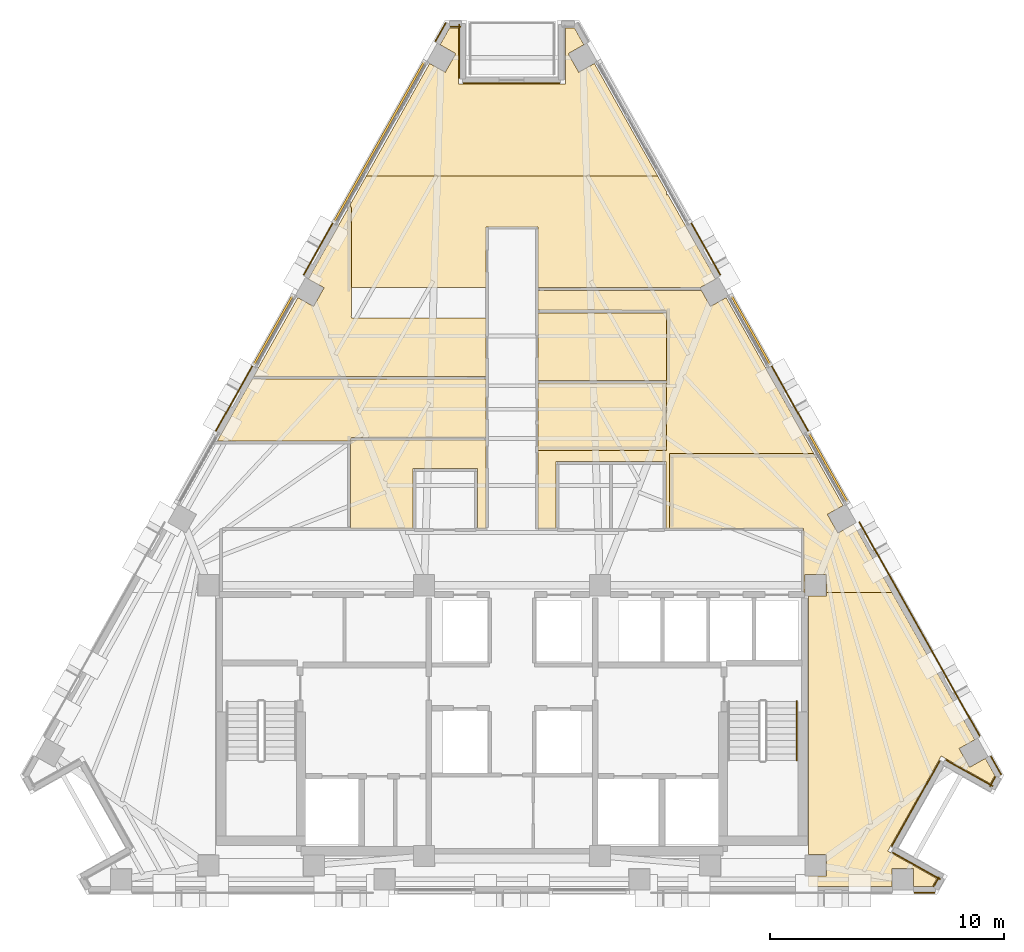
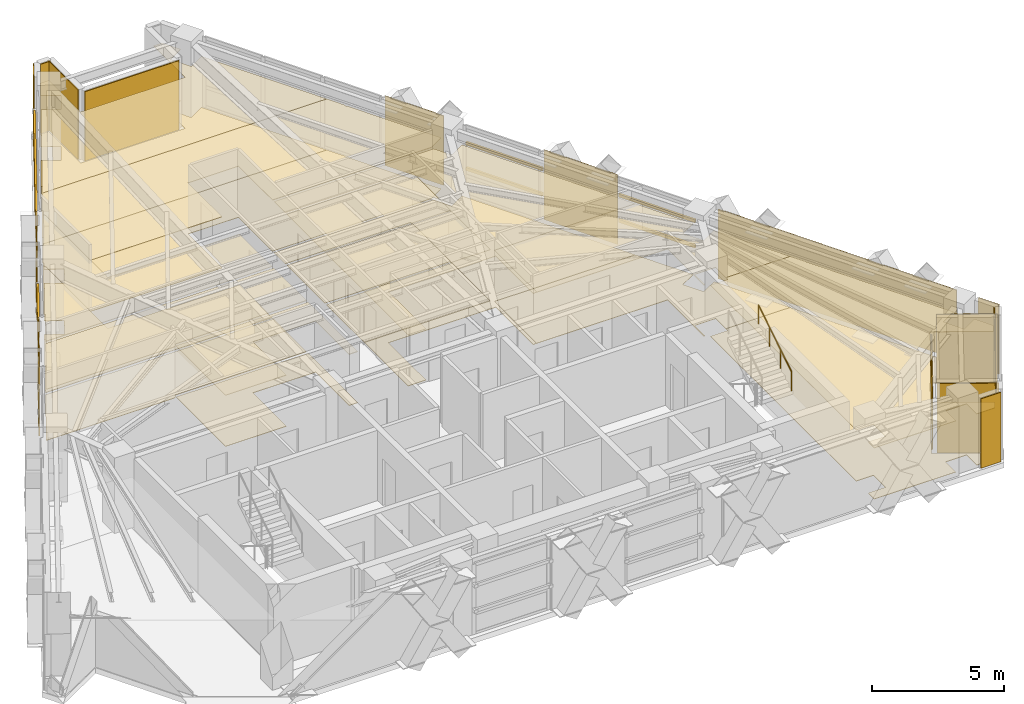
# One storey, part 14 of 15: 36 coverings, 8 shading devices, 1 railing.
"""IFC4 building model written with IfcOpenShell, lengths in metres."""

from ifc_helpers import new_model, si_unit, direction, frame, origin, origin_2d, place, context, subcontext, project, spatial, polyline, rectangle, circle, outline, extrude, material, layer, layer_set, material_profile, profile_set, type_object, element, save


model = new_model("IFC4")

# Units and contexts
model_context = context("Model", 3, precision=1e-05, world=origin(), true_north=direction((0.0, 1.0)))
body_context = subcontext(model_context, "Body", "Model", "MODEL_VIEW")
ifc_project = project(units=[si_unit("LENGTHUNIT", "METRE"), si_unit("AREAUNIT", "SQUARE_METRE"), si_unit("VOLUMEUNIT", "CUBIC_METRE"), si_unit("PLANEANGLEUNIT", "RADIAN"), si_unit("MASSUNIT", "GRAM", prefix="KILO")], contexts=[model_context])

# Site, building, storey
site_placement = place(None, origin())
site = spatial("IfcSite", under=ifc_project, at=site_placement, CompositionType="ELEMENT")
building_placement = place(site_placement, origin())
building = spatial("IfcBuilding", under=site, at=building_placement, Name="Quenlor Broadcast Tower", CompositionType="ELEMENT")
storey_placement = place(building_placement, frame((0.0, 0.0, 183.39990234375)))
storey = spatial("IfcBuildingStorey", under=building, at=storey_placement, Name="L50", CompositionType="ELEMENT", Elevation=183.39990234375)

# Coverings
ifc_material_1 = material(Name="Acoustic Mineral Fibre Board", Category="other")
ifc_layer_1 = layer(ifc_material_1, 0.02490234375)
ifc_layer_set_1 = layer_set([ifc_layer_1], Name="Acoustic Perforated Mineral Tile Ceiling 25")
covering_type_1 = type_object("IfcCoveringType", Name="Acoustic Perforated Mineral Tile Ceiling 25", PredefinedType="CEILING", material=ifc_layer_set_1)
covering_1_placement = place(storey_placement, frame((0.0, 0.0, 2.359130859375)))
element("IfcCovering", 1, at=covering_1_placement, inside=storey, type_object=covering_type_1, Name="L50 Acoustic Ceiling L50-29", PredefinedType="CEILING", context=body_context, shape_type="SweptSolid", body=[
    extrude(outline(polyline([(-6.8798828125, 7.900390625), (-6.8798828125, 11.475341796875), (-6.21923828125, 12.64990234375), (6.21923828125, 12.64990234375), (6.60009765625, 11.97314453125), (6.60009765625, 11.849609375), (6.61328125, 11.865234375), (6.6357421875, 11.8837890625), (8.685302734375, 8.26611328125), (8.03515625, 7.900390625), (1.10009765625, 7.900390625), (1.10009765625, 10.47998046875), (-1.10009765625, 10.47998046875), (-1.10009765625, 7.900390625), (-6.8798828125, 7.900390625)])), origin(), (0.0, 0.0, 1.0), 0.02490234375),
])
covering_2_placement = place(storey_placement, frame((0.0, 0.0, 2.359130859375)))
element("IfcCovering", 2, at=covering_2_placement, inside=storey, type_object=covering_type_1, Name="L50 Acoustic Ceiling L50-29-2", PredefinedType="CEILING", context=body_context, shape_type="SweptSolid", body=[
    extrude(outline(polyline([(-3.515380859375, 17.45703125), (-2.845947265625, 17.08056640625), (-2.396728515625, 17.87890625), (-3.066162109375, 18.255615234375), (-2.6630859375, 18.971923828125), (-2.2861328125, 18.971923828125), (-2.2861328125, 16.572021484375), (2.2861328125, 16.572021484375), (2.2861328125, 18.971923828125), (2.6630859375, 18.971923828125), (3.066162109375, 18.255615234375), (2.396728515625, 17.87890625), (2.845947265625, 17.08056640625), (3.515380859375, 17.45703125), (6.21923828125, 12.64990234375), (-6.21923828125, 12.64990234375), (-3.515380859375, 17.45703125)])), origin(), (0.0, 0.0, 1.0), 0.02490234375),
])
covering_3_placement = place(storey_placement, frame((0.0, 0.0, 2.359130859375)))
element("IfcCovering", 3, at=covering_3_placement, inside=storey, type_object=covering_type_1, Name="L50 Acoustic Ceiling L50-30", PredefinedType="CEILING", context=body_context, shape_type="SweptSolid", body=[
    extrude(outline(polyline([(-1.10009765625, 4.110107421875), (-11.02294921875, 4.110107421875), (-9.87939453125, 6.143310546875), (-9.634033203125, 6.579345703125), (-9.13427734375, 7.4677734375), (-8.465087890625, 7.09130859375), (-8.015869140625, 7.889404296875), (-8.685302734375, 8.26611328125), (-6.926513671875, 11.392578125), (-6.904052734375, 11.377197265625), (-6.883544921875, 11.356689453125), (-6.867431640625, 11.332275390625), (-6.8564453125, 11.30517578125), (-6.8505859375, 11.276611328125), (-6.85009765625, 6.7099609375), (-6.852783203125, 6.6806640625), (-6.861328125, 6.652587890625), (-6.8564453125, 6.633544921875), (-6.8505859375, 6.604736328125), (-1.10009765625, 6.590087890625), (-1.10009765625, 4.110107421875)])), origin(), (0.0, 0.0, 1.0), 0.02490234375),
])
covering_4_placement = place(storey_placement, frame((0.0, 0.0, 2.359130859375)))
element("IfcCovering", 4, at=covering_4_placement, inside=storey, type_object=covering_type_1, Name="L50 Acoustic Ceiling L50-31", PredefinedType="CEILING", context=body_context, shape_type="SweptSolid", body=[
    extrude(outline(polyline([(1.10009765625, 6.820068359375), (6.60009765625, 6.820068359375), (6.60009765625, 3.93994140625), (1.10009765625, 3.93994140625), (1.10009765625, 6.820068359375)])), origin(), (0.0, 0.0, 1.0), 0.02490234375),
])
covering_5_placement = place(storey_placement, frame((0.0, 0.0, 2.359130859375)))
element("IfcCovering", 5, at=covering_5_placement, inside=storey, type_object=covering_type_1, Name="L50 Acoustic Ceiling L50-32", PredefinedType="CEILING", context=body_context, shape_type="SweptSolid", body=[
    extrude(outline(polyline([(6.58251953125, 6.8798828125), (6.576416015625, 6.896484375), (6.57080078125, 6.92529296875), (1.10009765625, 6.93994140625), (1.10009765625, 7.780517578125), (8.077392578125, 7.780517578125), (8.465087890625, 7.09130859375), (9.13427734375, 7.4677734375), (9.251708984375, 7.2587890625), (9.414306640625, 6.969970703125), (10.361328125, 5.286376953125), (12.879638671875, 0.809326171875), (12.864013671875, 0.8017578125), (12.835693359375, 0.79296875), (12.80615234375, 0.7900390625), (6.75, 0.7900390625), (6.75, -2.3701171875), (6.570068359375, -2.3701171875), (6.570068359375, 0.469970703125), (1.8798828125, 0.469970703125), (1.8798828125, -2.3701171875), (1.10009765625, -2.3701171875), (1.10009765625, 0.969970703125), (6.570068359375, 0.969970703125), (6.57080078125, 6.834716796875), (6.576416015625, 6.863525390625), (6.58251953125, 6.8798828125)])), origin(), (0.0, 0.0, 1.0), 0.02490234375),
])
covering_6_placement = place(storey_placement, frame((0.0, 0.0, 2.359130859375)))
element("IfcCovering", 6, at=covering_6_placement, inside=storey, type_object=covering_type_1, Name="L50 Acoustic Ceiling L50-33", PredefinedType="CEILING", context=body_context, shape_type="SweptSolid", body=[
    extrude(outline(polyline([(-6.861328125, 1.45263671875), (-6.875244140625, 1.4267578125), (-6.893798828125, 1.40380859375), (-6.916748046875, 1.38525390625), (-6.942626953125, 1.371337890625), (-6.970703125, 1.36279296875), (-7.0, 1.360107421875), (-12.485595703125, 1.360107421875), (-12.51513671875, 1.36279296875), (-12.54345703125, 1.37158203125), (-12.55908203125, 1.37939453125), (-11.090576171875, 3.989990234375), (-1.10009765625, 3.989990234375), (-1.10009765625, 1.510009765625), (-6.85009765625, 1.510009765625), (-6.852783203125, 1.480712890625), (-6.861328125, 1.45263671875)])), origin(), (0.0, 0.0, 1.0), 0.02490234375),
])
covering_7_placement = place(storey_placement, frame((0.0, 0.0, 2.359130859375)))
element("IfcCovering", 7, at=covering_7_placement, inside=storey, type_object=covering_type_1, Name="L50 Acoustic Ceiling L50-34", PredefinedType="CEILING", context=body_context, shape_type="SweptSolid", body=[
    extrude(outline(polyline([(6.60009765625, 3.820068359375), (6.60009765625, 0.93994140625), (1.10009765625, 0.93994140625), (1.10009765625, 3.820068359375), (6.60009765625, 3.820068359375)])), origin(), (0.0, 0.0, 1.0), 0.02490234375),
])
covering_8_placement = place(storey_placement, frame((0.0, 0.0, 2.359130859375)))
element("IfcCovering", 8, at=covering_8_placement, inside=storey, type_object=covering_type_1, Name="L50 Acoustic Ceiling L50-35", PredefinedType="CEILING", context=body_context, shape_type="SweptSolid", body=[
    extrude(outline(polyline([(-4.219970703125, 0.169921875), (-4.219970703125, -2.3701171875), (-6.8798828125, -2.3701171875), (-6.8798828125, 1.389892578125), (-1.10009765625, 1.389892578125), (-1.10009765625, -2.3701171875), (-1.47998046875, -2.3701171875), (-1.47998046875, 0.169921875), (-4.219970703125, 0.169921875)])), origin(), (0.0, 0.0, 1.0), 0.02490234375),
])
covering_9_placement = place(storey_placement, frame((0.0, 0.0, 2.359130859375)))
element("IfcCovering", 9, at=covering_9_placement, inside=storey, type_object=covering_type_1, Name="L50 Acoustic Ceiling L50-36-2", PredefinedType="CEILING", context=body_context, shape_type="SweptSolid", body=[
    extrude(outline(polyline([(13.407958984375, -4.342041015625), (12.491943359375, -4.342041015625), (12.491943359375, -5.1201171875), (12.43994140625, -5.1201171875), (12.43994140625, -2.3701171875), (6.719970703125, -2.3701171875), (6.719970703125, 0.820068359375), (12.873779296875, 0.820068359375), (14.123046875, -1.401123046875), (13.45361328125, -1.777587890625), (13.90283203125, -2.575927734375), (14.572021484375, -2.199462890625), (16.21484375, -5.1201171875), (13.407958984375, -5.1201171875), (13.407958984375, -4.342041015625)])), origin(), (0.0, 0.0, 1.0), 0.02490234375),
])
covering_10_placement = place(storey_placement, frame((0.0, 0.0, 2.359130859375)))
element("IfcCovering", 10, at=covering_10_placement, inside=storey, type_object=covering_type_1, Name="L50 Acoustic Ceiling L50-36-4", PredefinedType="CEILING", context=body_context, shape_type="SweptSolid", body=[
    extrude(outline(polyline([(13.407958984375, -17.2080078125), (13.407958984375, -16.2919921875), (12.64990234375, -16.2919921875), (12.64990234375, -5.258056640625), (13.407958984375, -5.258056640625), (13.407958984375, -5.1201171875), (16.21484375, -5.1201171875), (19.7421875, -11.390625), (19.07275390625, -11.76708984375), (19.52197265625, -12.5654296875), (20.191162109375, -12.18896484375), (20.597900390625, -12.912109375), (20.400390625, -13.26318359375), (18.30859375, -12.08642578125), (16.029052734375, -16.138916015625), (18.120849609375, -17.315673828125), (17.927001953125, -17.659912109375), (17.1337890625, -17.659912109375), (17.1337890625, -16.89208984375), (16.218017578125, -16.89208984375), (16.218017578125, -17.659912109375), (12.64990234375, -17.659912109375), (12.64990234375, -17.2080078125), (13.407958984375, -17.2080078125)])), origin(), (0.0, 0.0, 1.0), 0.02490234375),
])

# Shading devices
ifc_material_2 = material(Name="Architectural Terracotta Ceramic", Category="masonry")
ifc_material_profile = material_profile(ifc_material_2, rectangle(XDim=0.090087890625, YDim=0.139892578125, at=origin_2d()))
ifc_profile_set = profile_set([ifc_material_profile], Name="Architectural Terracotta Ceramic BAG90x140")
shading_device_type = type_object("IfcShadingDeviceType", Name="Copper Terracotta Baguette Solar Screen 140", PredefinedType="USERDEFINED", material=ifc_profile_set)
for number, where, z_axis, x_axis, name in (
    (11, (9.3642578125, 7.54443359375, 1.170166015625), (0.490250903893, -0.871581350897, 0.0), (0.871581350897, 0.490250903893, 0.0), "L50 Terracotta Baguette Screen 1"),
    (12, (9.3642578125, 7.54443359375, 2.340087890625), (0.490250903893, -0.871581350897, 0.0), (0.871581350897, 0.490250903893, 0.0), "L50 Terracotta Baguette Screen 2"),
):
    element("IfcShadingDevice", number, at=place(storey_placement, frame(where, z_axis=z_axis, x_axis=x_axis)), inside=storey, type_object=shading_device_type, Name=name, ObjectType="BAGUETTE", PredefinedType="USERDEFINED", context=body_context, shape_type="SweptSolid", body=[
        extrude(rectangle(XDim=0.090087890625, YDim=0.139892578125, at=origin_2d()), origin(), (0.0, 0.0, 1.0), 3.364501953125),
    ])
for number, where, z_axis, x_axis, name in (
    (13, (12.65869140625, 1.68798828125, 1.170166015625), (0.490195776457, -0.871612356925, 0.0), (0.871612356925, 0.490195776457, 0.0), "L50 Terracotta Baguette Screen 1"),
    (14, (12.65869140625, 1.68798828125, 2.340087890625), (0.490195776457, -0.871612356925, 0.0), (0.871612356925, 0.490195776457, 0.0), "L50 Terracotta Baguette Screen 2"),
):
    element("IfcShadingDevice", number, at=place(storey_placement, frame(where, z_axis=z_axis, x_axis=x_axis)), inside=storey, type_object=shading_device_type, Name=name, ObjectType="BAGUETTE", PredefinedType="USERDEFINED", context=body_context, shape_type="SweptSolid", body=[
        extrude(rectangle(XDim=0.090087890625, YDim=0.139892578125, at=origin_2d()), origin(), (0.0, 0.0, 1.0), 3.3642578125),
    ])
for number, where, z_axis, x_axis, name in (
    (15, (-7.58447265625, 10.708251953125, 1.170166015625), (0.49024494728, 0.871584701372, 0.0), (-0.871584701372, 0.49024494728, 0.0), "L50 Terracotta Baguette Screen 1"),
    (16, (-7.58447265625, 10.708251953125, 2.340087890625), (0.49024494728, 0.871584701372, 0.0), (-0.871584701372, 0.49024494728, 0.0), "L50 Terracotta Baguette Screen 2"),
):
    element("IfcShadingDevice", number, at=place(storey_placement, frame(where, z_axis=z_axis, x_axis=x_axis)), inside=storey, type_object=shading_device_type, Name=name, ObjectType="BAGUETTE", PredefinedType="USERDEFINED", context=body_context, shape_type="SweptSolid", body=[
        extrude(rectangle(XDim=0.090087890625, YDim=0.139892578125, at=origin_2d()), origin(), (0.0, 0.0, 1.0), 7.825927734375),
    ])
for number, where, z_axis, x_axis, name in (
    (17, (-11.013671875, 4.612060546875, 1.170166015625), (0.490250903893, 0.871581350897, 0.0), (-0.871581350897, 0.490250903893, 0.0), "L50 Terracotta Baguette Screen 1"),
    (18, (-11.013671875, 4.612060546875, 2.340087890625), (0.490250903893, 0.871581350897, 0.0), (-0.871581350897, 0.490250903893, 0.0), "L50 Terracotta Baguette Screen 2"),
):
    element("IfcShadingDevice", number, at=place(storey_placement, frame(where, z_axis=z_axis, x_axis=x_axis)), inside=storey, type_object=shading_device_type, Name=name, ObjectType="BAGUETTE", PredefinedType="USERDEFINED", context=body_context, shape_type="SweptSolid", body=[
        extrude(rectangle(XDim=0.090087890625, YDim=0.139892578125, at=origin_2d()), origin(), (0.0, 0.0, 1.0), 3.364501953125),
    ])

# Coverings
ifc_material_3 = material(Name="Architectural Terracotta Ceramic", Category="masonry")
ifc_layer_2 = layer(ifc_material_3, 0.044921875)
ifc_layer_set_2 = layer_set([ifc_layer_2], Name="Fluted Terracotta Rainscreen Cladding Panel")
covering_type_2 = type_object("IfcCoveringType", Name="Fluted Terracotta Rainscreen Cladding Panel", PredefinedType="CLADDING", material=ifc_layer_set_2)
covering_11_placement = place(storey_placement, frame((0.0, 0.0, 0.02001953125)))
element("IfcCovering", 19, at=covering_11_placement, inside=storey, type_object=covering_type_2, Name="L50 Terracotta Rainscreen Cladding L50-SHD-SS0", PredefinedType="CLADDING", context=body_context, shape_type="SweptSolid", body=[
    extrude(outline(polyline([(18.035888671875, -17.886962890625), (17.160888671875, -17.886962890625), (17.160888671875, -17.931884765625), (18.035888671875, -17.931884765625), (18.035888671875, -17.886962890625)])), origin(), (0.0, 0.0, 1.0), 3.2099609375),
])
covering_12_placement = place(storey_placement, frame((0.0, 0.0, 0.02001953125)))
element("IfcCovering", 20, at=covering_12_placement, inside=storey, type_object=covering_type_2, Name="L50 Terracotta Rainscreen Cladding L50-SHD-NES1", PredefinedType="CLADDING", context=body_context, shape_type="SweptSolid", body=[
    extrude(outline(polyline([(20.402099609375, -12.10107421875), (20.845458984375, -12.888916015625), (20.884521484375, -12.866943359375), (20.44140625, -12.0791015625), (20.402099609375, -12.10107421875)])), origin(), (0.0, 0.0, 1.0), 3.2099609375),
])
covering_13_placement = place(storey_placement, frame((0.0, 0.0, 0.02001953125)))
element("IfcCovering", 21, at=covering_13_placement, inside=storey, type_object=covering_type_2, Name="L50 Terracotta Rainscreen Cladding L50-NEA-SP1", PredefinedType="CLADDING", context=body_context, shape_type="SweptSolid", body=[
    extrude(outline(polyline([(7.614990234375, 10.652099609375), (8.86865234375, 8.42333984375), (8.907958984375, 8.4453125), (7.654296875, 10.674072265625), (7.614990234375, 10.652099609375)])), origin(), (0.0, 0.0, 1.0), 3.2099609375),
])
covering_14_placement = place(storey_placement, frame((0.0, 0.0, 0.02001953125)))
element("IfcCovering", 22, at=covering_14_placement, inside=storey, type_object=covering_type_2, Name="L50 Terracotta Rainscreen Cladding L50-EW-NEC", PredefinedType="CLADDING", context=body_context, shape_type="SweptSolid", body=[
    extrude(outline(polyline([(14.7919921875, -2.106689453125), (19.935302734375, -11.250732421875), (19.974609375, -11.228759765625), (14.831298828125, -2.084716796875), (14.7919921875, -2.106689453125)])), origin(), (0.0, 0.0, 1.0), 3.2099609375),
])
covering_15_placement = place(storey_placement, frame((0.0, 0.0, 0.02001953125)))
element("IfcCovering", 23, at=covering_15_placement, inside=storey, type_object=covering_type_2, Name="L50 Terracotta Rainscreen Cladding L50-NE-SP1", PredefinedType="CLADDING", context=body_context, shape_type="SweptSolid", body=[
    extrude(outline(polyline([(11.044189453125, 4.555908203125), (12.626220703125, 1.7431640625), (12.66552734375, 1.76513671875), (11.08349609375, 4.577880859375), (11.044189453125, 4.555908203125)])), origin(), (0.0, 0.0, 1.0), 3.2099609375),
])
covering_16_placement = place(storey_placement, frame((0.0, 0.0, 0.02001953125)))
element("IfcCovering", 24, at=covering_16_placement, inside=storey, type_object=covering_type_2, Name="L50 Terracotta Rainscreen Cladding L50-SHD-NWS1", PredefinedType="CLADDING", context=body_context, shape_type="SweptSolid", body=[
    extrude(outline(polyline([(-3.250732421875, 18.390380859375), (-2.8076171875, 19.17822265625), (-2.8466796875, 19.2001953125), (-3.2900390625, 18.412353515625), (-3.250732421875, 18.390380859375)])), origin(), (0.0, 0.0, 1.0), 3.2099609375),
])
covering_17_placement = place(storey_placement, frame((0.0, 0.0, 0.02001953125)))
element("IfcCovering", 25, at=covering_17_placement, inside=storey, type_object=covering_type_2, Name="L50 Terracotta Rainscreen Cladding L50-NWC-SP1", PredefinedType="CLADDING", context=body_context, shape_type="SweptSolid", body=[
    extrude(outline(polyline([(-8.86865234375, 8.42333984375), (-7.614990234375, 10.652099609375), (-7.654296875, 10.674072265625), (-8.907958984375, 8.4453125), (-8.86865234375, 8.42333984375)])), origin(), (0.0, 0.0, 1.0), 3.2099609375),
])
covering_18_placement = place(storey_placement, frame((0.0, 0.0, 0.02001953125)))
element("IfcCovering", 26, at=covering_18_placement, inside=storey, type_object=covering_type_2, Name="L50 Terracotta Rainscreen Cladding L50-NW-SP1", PredefinedType="CLADDING", context=body_context, shape_type="SweptSolid", body=[
    extrude(outline(polyline([(-12.626220703125, 1.7431640625), (-11.044189453125, 4.555908203125), (-11.08349609375, 4.577880859375), (-12.66552734375, 1.76513671875), (-12.626220703125, 1.7431640625)])), origin(), (0.0, 0.0, 1.0), 3.2099609375),
])
covering_19_placement = place(storey_placement, frame((0.0, 0.0, 0.02001953125)))
element("IfcCovering", 27, at=covering_19_placement, inside=storey, type_object=covering_type_2, Name="L50 Terracotta Rainscreen Cladding L50-CNR-01", PredefinedType="CLADDING", context=body_context, shape_type="SweptSolid", body=[
    extrude(outline(polyline([(18.284912109375, -17.329833984375), (16.245361328125, -16.1826171875), (16.223388671875, -16.2216796875), (18.262939453125, -17.368896484375), (18.284912109375, -17.329833984375)])), origin(), (0.0, 0.0, 1.0), 3.2099609375),
])
covering_20_placement = place(storey_placement, frame((0.0, 0.0, 0.02001953125)))
element("IfcCovering", 28, at=covering_20_placement, inside=storey, type_object=covering_type_2, Name="L50 Terracotta Rainscreen Cladding L50-CNR-02", PredefinedType="CLADDING", context=body_context, shape_type="SweptSolid", body=[
    extrude(outline(polyline([(16.2109375, -15.954345703125), (18.264892578125, -12.302734375), (18.225830078125, -12.28076171875), (16.171630859375, -15.932373046875), (16.2109375, -15.954345703125)])), origin(), (0.0, 0.0, 1.0), 2.39404296875),
])
covering_21_placement = place(storey_placement, frame((0.0, 0.0, 0.02001953125)))
element("IfcCovering", 29, at=covering_21_placement, inside=storey, type_object=covering_type_2, Name="L50 Terracotta Rainscreen Cladding L50-CNR-03", PredefinedType="CLADDING", context=body_context, shape_type="SweptSolid", body=[
    extrude(outline(polyline([(18.493408203125, -12.268310546875), (20.497802734375, -13.39599609375), (20.52001953125, -13.356689453125), (18.515380859375, -12.22900390625), (18.493408203125, -12.268310546875)])), origin(), (0.0, 0.0, 1.0), 3.2099609375),
])
covering_22_placement = place(storey_placement, frame((0.0, 0.0, 0.02001953125)))
element("IfcCovering", 30, at=covering_22_placement, inside=storey, type_object=covering_type_2, Name="L50 Terracotta Rainscreen Cladding L50-CNR-04", PredefinedType="CLADDING", context=body_context, shape_type="SweptSolid", body=[
    extrude(outline(polyline([(20.40576171875, -13.39208984375), (20.64306640625, -12.970458984375), (20.60400390625, -12.948486328125), (20.36669921875, -13.3701171875), (20.40576171875, -13.39208984375)])), origin(), (0.0, 0.0, 1.0), 3.2099609375),
])
covering_23_placement = place(storey_placement, frame((0.0, 0.0, 0.02001953125)))
element("IfcCovering", 31, at=covering_23_placement, inside=storey, type_object=covering_type_2, Name="L50 Terracotta Rainscreen Cladding L50-CNR-08", PredefinedType="CLADDING", context=body_context, shape_type="SweptSolid", body=[
    extrude(outline(polyline([(2.0361328125, 16.639892578125), (-2.076171875, 16.639892578125), (-2.076171875, 16.594970703125), (2.0361328125, 16.594970703125), (2.0361328125, 16.639892578125)])), origin(), (0.0, 0.0, 1.0), 3.2099609375),
])
covering_24_placement = place(storey_placement, frame((0.0, 0.0, 0.02001953125)))
element("IfcCovering", 32, at=covering_24_placement, inside=storey, type_object=covering_type_2, Name="L50 Terracotta Rainscreen Cladding L50-CNR-09", PredefinedType="CLADDING", context=body_context, shape_type="SweptSolid", body=[
    extrude(outline(polyline([(-2.21826171875, 16.822021484375), (-2.21826171875, 19.1220703125), (-2.26318359375, 19.1220703125), (-2.26318359375, 16.822021484375), (-2.21826171875, 16.822021484375)])), origin(), (0.0, 0.0, 1.0), 3.2099609375),
])
covering_25_placement = place(storey_placement, frame((0.0, 0.0, 0.02001953125)))
element("IfcCovering", 33, at=covering_25_placement, inside=storey, type_object=covering_type_2, Name="L50 Terracotta Rainscreen Cladding L50-CNR-10", PredefinedType="CLADDING", context=body_context, shape_type="SweptSolid", body=[
    extrude(outline(polyline([(-2.17626953125, 19.0400390625), (-2.62841796875, 19.0400390625), (-2.62841796875, 18.9951171875), (-2.17626953125, 18.9951171875), (-2.17626953125, 19.0400390625)])), origin(), (0.0, 0.0, 1.0), 3.2099609375),
])
covering_26_placement = place(storey_placement, frame((0.0, 0.0, 0.02001953125)))
element("IfcCovering", 34, at=covering_26_placement, inside=storey, type_object=covering_type_2, Name="L50 Terracotta Rainscreen Cladding L50-CNR-18", PredefinedType="CLADDING", context=body_context, shape_type="SweptSolid", body=[
    extrude(outline(polyline([(17.99853515625, -17.671630859375), (18.234130859375, -17.2529296875), (18.19482421875, -17.23095703125), (17.959228515625, -17.649658203125), (17.99853515625, -17.671630859375)])), origin(), (0.0, 0.0, 1.0), 3.2099609375),
])
ifc_material_4 = material(Name="Terrazzo Stone Finish", Category="masonry")
ifc_layer_3 = layer(ifc_material_4, 0.02001953125)
ifc_layer_set_3 = layer_set([ifc_layer_3], Name="Polished Sandstone Terrazzo Flooring 20")
covering_type_3 = type_object("IfcCoveringType", Name="Polished Sandstone Terrazzo Flooring 20", PredefinedType="FLOORING", material=ifc_layer_set_3)
covering_27_placement = place(storey_placement, origin())
element("IfcCovering", 35, at=covering_27_placement, inside=storey, type_object=covering_type_3, Name="L50 Terrazzo Flooring L50-29", PredefinedType="FLOORING", context=body_context, shape_type="SweptSolid", body=[
    extrude(outline(polyline([(-6.8798828125, 7.900390625), (-6.8798828125, 11.475341796875), (-6.21923828125, 12.64990234375), (6.21923828125, 12.64990234375), (6.60009765625, 11.97314453125), (6.60009765625, 11.849609375), (6.61328125, 11.865234375), (6.6357421875, 11.8837890625), (8.685302734375, 8.26611328125), (8.03515625, 7.900390625), (1.10009765625, 7.900390625), (1.10009765625, 10.47998046875), (-1.10009765625, 10.47998046875), (-1.10009765625, 7.900390625), (-6.8798828125, 7.900390625)])), origin(), (0.0, 0.0, 1.0), 0.02001953125),
])
covering_28_placement = place(storey_placement, origin())
element("IfcCovering", 36, at=covering_28_placement, inside=storey, type_object=covering_type_3, Name="L50 Terrazzo Flooring L50-29-2", PredefinedType="FLOORING", context=body_context, shape_type="SweptSolid", body=[
    extrude(outline(polyline([(-3.515380859375, 17.45703125), (-2.845947265625, 17.08056640625), (-2.396728515625, 17.87890625), (-3.066162109375, 18.255615234375), (-2.6630859375, 18.971923828125), (-2.2861328125, 18.971923828125), (-2.2861328125, 16.572021484375), (2.2861328125, 16.572021484375), (2.2861328125, 18.971923828125), (2.6630859375, 18.971923828125), (3.066162109375, 18.255615234375), (2.396728515625, 17.87890625), (2.845947265625, 17.08056640625), (3.515380859375, 17.45703125), (6.21923828125, 12.64990234375), (-6.21923828125, 12.64990234375), (-3.515380859375, 17.45703125)])), origin(), (0.0, 0.0, 1.0), 0.02001953125),
])
covering_29_placement = place(storey_placement, origin())
element("IfcCovering", 37, at=covering_29_placement, inside=storey, type_object=covering_type_3, Name="L50 Terrazzo Flooring L50-30", PredefinedType="FLOORING", context=body_context, shape_type="SweptSolid", body=[
    extrude(outline(polyline([(-1.10009765625, 4.110107421875), (-11.02294921875, 4.110107421875), (-9.87939453125, 6.143310546875), (-9.634033203125, 6.579345703125), (-9.13427734375, 7.4677734375), (-8.465087890625, 7.09130859375), (-8.015869140625, 7.889404296875), (-8.685302734375, 8.26611328125), (-6.926513671875, 11.392578125), (-6.904052734375, 11.377197265625), (-6.883544921875, 11.356689453125), (-6.867431640625, 11.332275390625), (-6.8564453125, 11.30517578125), (-6.8505859375, 11.276611328125), (-6.85009765625, 6.7099609375), (-6.852783203125, 6.6806640625), (-6.861328125, 6.652587890625), (-6.8564453125, 6.633544921875), (-6.8505859375, 6.604736328125), (-1.10009765625, 6.590087890625), (-1.10009765625, 4.110107421875)])), origin(), (0.0, 0.0, 1.0), 0.02001953125),
])
covering_30_placement = place(storey_placement, origin())
element("IfcCovering", 38, at=covering_30_placement, inside=storey, type_object=covering_type_3, Name="L50 Terrazzo Flooring L50-31", PredefinedType="FLOORING", context=body_context, shape_type="SweptSolid", body=[
    extrude(outline(polyline([(1.10009765625, 6.820068359375), (6.60009765625, 6.820068359375), (6.60009765625, 3.93994140625), (1.10009765625, 3.93994140625), (1.10009765625, 6.820068359375)])), origin(), (0.0, 0.0, 1.0), 0.02001953125),
])
covering_31_placement = place(storey_placement, origin())
element("IfcCovering", 39, at=covering_31_placement, inside=storey, type_object=covering_type_3, Name="L50 Terrazzo Flooring L50-32", PredefinedType="FLOORING", context=body_context, shape_type="SweptSolid", body=[
    extrude(outline(polyline([(6.58251953125, 6.8798828125), (6.576416015625, 6.896484375), (6.57080078125, 6.92529296875), (1.10009765625, 6.93994140625), (1.10009765625, 7.780517578125), (8.077392578125, 7.780517578125), (8.465087890625, 7.09130859375), (9.13427734375, 7.4677734375), (9.251708984375, 7.2587890625), (9.414306640625, 6.969970703125), (10.361328125, 5.286376953125), (12.879638671875, 0.809326171875), (12.864013671875, 0.8017578125), (12.835693359375, 0.79296875), (12.80615234375, 0.7900390625), (6.75, 0.7900390625), (6.75, -2.3701171875), (6.570068359375, -2.3701171875), (6.570068359375, 0.469970703125), (1.8798828125, 0.469970703125), (1.8798828125, -2.3701171875), (1.10009765625, -2.3701171875), (1.10009765625, 0.969970703125), (6.570068359375, 0.969970703125), (6.57080078125, 6.834716796875), (6.576416015625, 6.863525390625), (6.58251953125, 6.8798828125)])), origin(), (0.0, 0.0, 1.0), 0.02001953125),
])
covering_32_placement = place(storey_placement, origin())
element("IfcCovering", 40, at=covering_32_placement, inside=storey, type_object=covering_type_3, Name="L50 Terrazzo Flooring L50-33", PredefinedType="FLOORING", context=body_context, shape_type="SweptSolid", body=[
    extrude(outline(polyline([(-6.861328125, 1.45263671875), (-6.875244140625, 1.4267578125), (-6.893798828125, 1.40380859375), (-6.916748046875, 1.38525390625), (-6.942626953125, 1.371337890625), (-6.970703125, 1.36279296875), (-7.0, 1.360107421875), (-12.485595703125, 1.360107421875), (-12.51513671875, 1.36279296875), (-12.54345703125, 1.37158203125), (-12.55908203125, 1.37939453125), (-11.090576171875, 3.989990234375), (-1.10009765625, 3.989990234375), (-1.10009765625, 1.510009765625), (-6.85009765625, 1.510009765625), (-6.852783203125, 1.480712890625), (-6.861328125, 1.45263671875)])), origin(), (0.0, 0.0, 1.0), 0.02001953125),
])
covering_33_placement = place(storey_placement, origin())
element("IfcCovering", 41, at=covering_33_placement, inside=storey, type_object=covering_type_3, Name="L50 Terrazzo Flooring L50-34", PredefinedType="FLOORING", context=body_context, shape_type="SweptSolid", body=[
    extrude(outline(polyline([(6.60009765625, 3.820068359375), (6.60009765625, 0.93994140625), (1.10009765625, 0.93994140625), (1.10009765625, 3.820068359375), (6.60009765625, 3.820068359375)])), origin(), (0.0, 0.0, 1.0), 0.02001953125),
])
covering_34_placement = place(storey_placement, origin())
element("IfcCovering", 42, at=covering_34_placement, inside=storey, type_object=covering_type_3, Name="L50 Terrazzo Flooring L50-35", PredefinedType="FLOORING", context=body_context, shape_type="SweptSolid", body=[
    extrude(outline(polyline([(-4.219970703125, 0.169921875), (-4.219970703125, -2.3701171875), (-6.8798828125, -2.3701171875), (-6.8798828125, 1.389892578125), (-1.10009765625, 1.389892578125), (-1.10009765625, -2.3701171875), (-1.47998046875, -2.3701171875), (-1.47998046875, 0.169921875), (-4.219970703125, 0.169921875)])), origin(), (0.0, 0.0, 1.0), 0.02001953125),
])
covering_35_placement = place(storey_placement, origin())
element("IfcCovering", 43, at=covering_35_placement, inside=storey, type_object=covering_type_3, Name="L50 Terrazzo Flooring L50-36-2", PredefinedType="FLOORING", context=body_context, shape_type="SweptSolid", body=[
    extrude(outline(polyline([(13.407958984375, -4.342041015625), (12.491943359375, -4.342041015625), (12.491943359375, -5.1201171875), (12.43994140625, -5.1201171875), (12.43994140625, -2.3701171875), (6.719970703125, -2.3701171875), (6.719970703125, 0.820068359375), (12.873779296875, 0.820068359375), (14.123046875, -1.401123046875), (13.45361328125, -1.777587890625), (13.90283203125, -2.575927734375), (14.572021484375, -2.199462890625), (16.21484375, -5.1201171875), (13.407958984375, -5.1201171875), (13.407958984375, -4.342041015625)])), origin(), (0.0, 0.0, 1.0), 0.02001953125),
])
covering_36_placement = place(storey_placement, origin())
element("IfcCovering", 44, at=covering_36_placement, inside=storey, type_object=covering_type_3, Name="L50 Terrazzo Flooring L50-36-4", PredefinedType="FLOORING", context=body_context, shape_type="SweptSolid", body=[
    extrude(outline(polyline([(13.407958984375, -17.2080078125), (13.407958984375, -16.2919921875), (12.64990234375, -16.2919921875), (12.64990234375, -5.258056640625), (13.407958984375, -5.258056640625), (13.407958984375, -5.1201171875), (16.21484375, -5.1201171875), (19.7421875, -11.390625), (19.07275390625, -11.76708984375), (19.52197265625, -12.5654296875), (20.191162109375, -12.18896484375), (20.597900390625, -12.912109375), (20.400390625, -13.26318359375), (18.30859375, -12.08642578125), (16.029052734375, -16.138916015625), (18.120849609375, -17.315673828125), (17.927001953125, -17.659912109375), (17.1337890625, -17.659912109375), (17.1337890625, -16.89208984375), (16.218017578125, -16.89208984375), (16.218017578125, -17.659912109375), (12.64990234375, -17.659912109375), (12.64990234375, -17.2080078125), (13.407958984375, -17.2080078125)])), origin(), (0.0, 0.0, 1.0), 0.02001953125),
])

# Railing
ifc_material_5 = material(Name="Anodised Aluminium", Category="aluminium")
railing_type = type_object("IfcRailingType", Name="Stainless Aluminium Wall Handrail 900", PredefinedType="HANDRAIL", material=ifc_material_5)
railing_placement = place(storey_placement, frame((12.14990234375, -12.27001953125, 1.925048828125)))
element("IfcRailing", 45, at=railing_placement, inside=storey, type_object=railing_type, Name="L50 ST-2 stair handrail 2", PredefinedType="HANDRAIL", context=body_context, shape_type="SweptSolid", body=[
    extrude(circle(Radius=0.02392578125, at=origin_2d()), frame((0.0, 0.0, 0.8759765625), z_axis=(0.0, 0.848007534815, 0.529984170421), x_axis=(-1.0, 0.0, 0.0)), (0.0, 0.0, 1.0), 2.9716796875),
    extrude(circle(Radius=0.02099609375, at=origin_2d()), origin(), (0.0, 0.0, 1.0), 0.851806640625),
    extrude(circle(Radius=0.02099609375, at=origin_2d()), frame((0.0, 0.840087890625, 0.52490234375)), (0.0, 0.0, 1.0), 0.851806640625),
    extrude(circle(Radius=0.02099609375, at=origin_2d()), frame((0.0, 1.679931640625, 1.050048828125)), (0.0, 0.0, 1.0), 0.851806640625),
    extrude(circle(Radius=0.02099609375, at=origin_2d()), frame((0.0, 2.52001953125, 1.574951171875)), (0.0, 0.0, 1.0), 0.851806640625),
])

save(model, "model.ifc")
